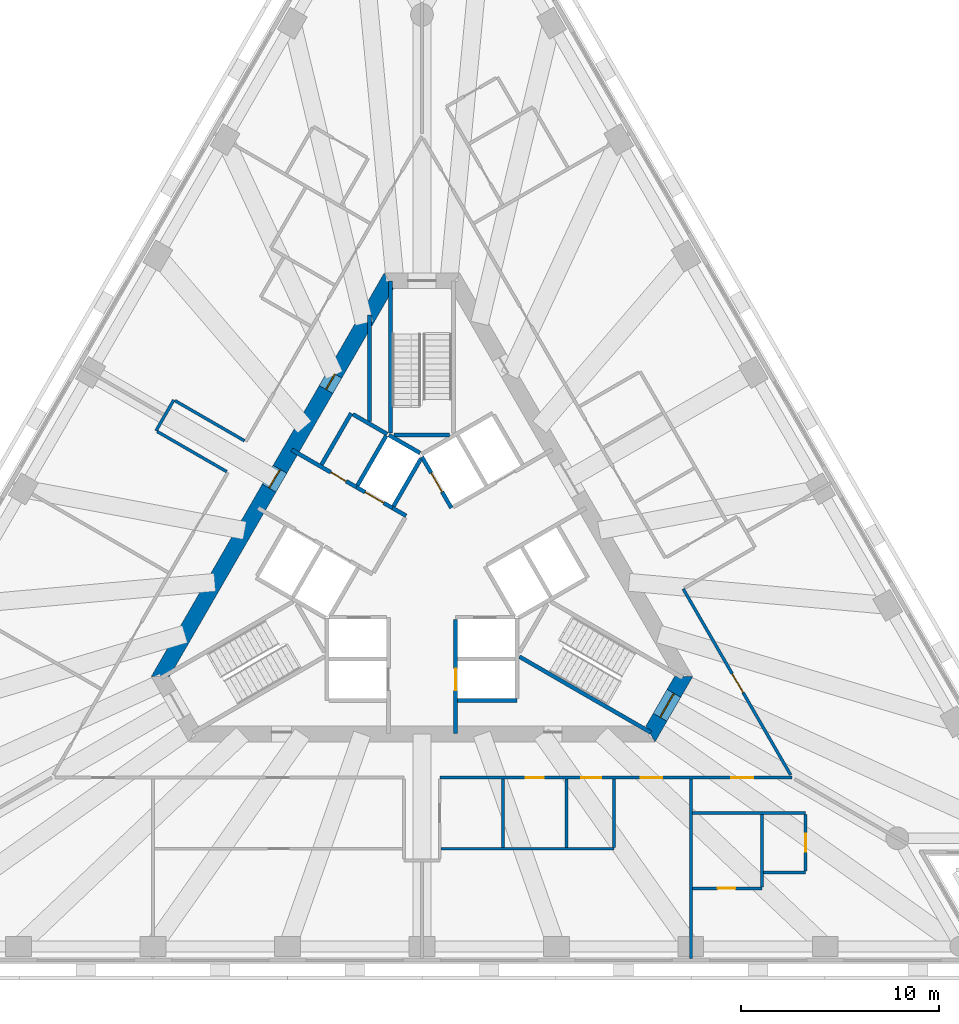
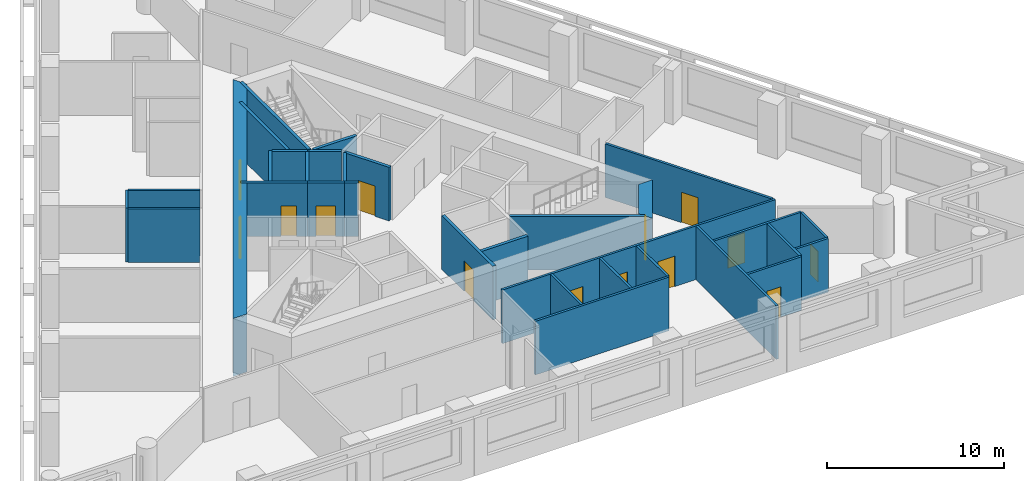
# One storey, part 4 of 9: 32 walls, 14 doors, 14 openings.
"""IFC4 building model written with IfcOpenShell, lengths in metres."""

from ifc_helpers import new_model, si_unit, direction, frame, frame_2d, origin, place, context, subcontext, project, spatial, polyline, rectangle, outline, extrude, material, layer, layer_set, type_object, element, fill, save


model = new_model("IFC4")

# Units and contexts
model_context = context("Model", 3, precision=1e-05, world=origin(), true_north=direction((0.0, 1.0)))
body_context = subcontext(model_context, "Body", "Model", "MODEL_VIEW")
ifc_project = project(units=[si_unit("LENGTHUNIT", "METRE"), si_unit("AREAUNIT", "SQUARE_METRE"), si_unit("VOLUMEUNIT", "CUBIC_METRE"), si_unit("PLANEANGLEUNIT", "RADIAN"), si_unit("MASSUNIT", "GRAM", prefix="KILO")], contexts=[model_context])

# Site, building, storey
site_placement = place(None, origin())
site = spatial("IfcSite", under=ifc_project, at=site_placement, CompositionType="ELEMENT")
building_placement = place(site_placement, origin())
building = spatial("IfcBuilding", under=site, at=building_placement, Name="Triada Interchange Tower", CompositionType="ELEMENT")
storey_placement = place(building_placement, frame((0.0, 0.0, 128.300048828125)))
storey = spatial("IfcBuildingStorey", under=building, at=storey_placement, Name="L29", CompositionType="ELEMENT", Elevation=128.300048828125)

# Wall
ifc_material_1 = material(Name="Concrete C30/37", Category="concrete")
ifc_layer_1 = layer(ifc_material_1, 0.199951171875)
ifc_layer_set_1 = layer_set([ifc_layer_1], Name="CORE WALL 200 EI 120")
wall_type_1 = type_object("IfcWallType", Name="CORE WALL 200 EI 120", PredefinedType="SOLIDWALL", material=ifc_layer_set_1)
wall_1_placement = place(storey_placement, frame((1.800048828125, -6.89990234375, 0.0), z_axis=(0.0, 0.0, 1.0), x_axis=(1.0, 0.0, 0.0)))
element("IfcWall", 1, at=wall_1_placement, inside=storey, type_object=wall_type_1, Name="Wall L29 58", PredefinedType="SOLIDWALL", context=body_context, shape_type="SweptSolid", body=[
    extrude(rectangle(XDim=3.0, YDim=0.199951171875, at=frame_2d((1.5, 0.0))), origin(), (0.0, 0.0, 1.0), 3.699951171875),
])

# Wall, opening, door
wall_2_placement = place(storey_placement, frame((0.0, 5.39990234375, 0.0), z_axis=(0.0, 0.0, 1.0), x_axis=(0.500103862429, -0.865965430478, 0.0)))
wall_2 = element("IfcWall", 2, at=wall_2_placement, inside=storey, type_object=wall_type_1, Name="Wall L29 65", PredefinedType="SOLIDWALL", context=body_context, shape_type="SweptSolid", body=[
    extrude(rectangle(XDim=2.973388671875, YDim=0.199951171875, at=frame_2d((1.48681640625, 0.0))), origin(), (0.0, 0.0, 1.0), 3.699951171875),
])
opening_1_placement = place(wall_2_placement, frame((0.93701171875, 0.0, 0.0)))
opening_1 = element("IfcOpeningElement", 3, at=opening_1_placement, cuts=wall_2, Name="Opening LD-LR5", PredefinedType="OPENING", context=body_context, shape_type="SweptSolid", body=[
    extrude(rectangle(XDim=1.10009765625, YDim=2.10009765625, at=frame_2d((0.550048828125, 1.050048828125))), frame((0.0, 0.10986328125, 0.0), z_axis=(0.0, -1.0, 0.0), x_axis=(1.0, 0.0, 0.0)), (0.0, 0.0, 1.0), 0.219970703125),
])
ifc_material_2 = material(Name="Steel S235 door leaf", Category="steel")
door_type_1 = type_object("IfcDoorType", Name="LIFT LANDING DOOR 1100 EI 120", OperationType="SLIDING_TO_LEFT", PredefinedType="DOOR", material=ifc_material_2)
door_1_placement = place(opening_1_placement, origin())
door_1 = element("IfcDoor", 4, at=door_1_placement, inside=storey, type_object=door_type_1, Name="LR5 landing door L29", OperationType="SLIDING_TO_LEFT", OverallHeight=2.10009765625, OverallWidth=1.10009765625, PredefinedType="DOOR", context=body_context, shape_type="SweptSolid", body=[
    extrude(rectangle(XDim=1.10009765625, YDim=2.10009765625, at=frame_2d((0.550048828125, 1.050048828125))), frame((0.0, 0.02490234375, 0.0), z_axis=(0.0, -1.0, 0.0), x_axis=(1.0, 0.0, 0.0)), (0.0, 0.0, 1.0), 0.050048828125),
])
fill(opening_1, door_1)

wall_3_placement = place(storey_placement, frame((1.699951171875, -8.580078125, 0.0), z_axis=(0.0, 0.0, 1.0), x_axis=(0.0, 1.0, 0.0)))
wall_3 = element("IfcWall", 5, at=wall_3_placement, inside=storey, type_object=wall_type_1, Name="Wall L29 68", PredefinedType="SOLIDWALL", context=body_context, shape_type="SweptSolid", body=[
    extrude(rectangle(XDim=5.777099609375, YDim=0.199951171875, at=frame_2d((2.888671875, 0.0))), origin(), (0.0, 0.0, 1.0), 3.699951171875),
])
opening_2_placement = place(wall_3_placement, frame((2.179931640625, 0.0, 0.0)))
opening_2 = element("IfcOpeningElement", 6, at=opening_2_placement, cuts=wall_3, Name="Opening LD-LR2", PredefinedType="OPENING", context=body_context, shape_type="SweptSolid", body=[
    extrude(rectangle(XDim=1.10009765625, YDim=2.10009765625, at=frame_2d((0.550048828125, 1.050048828125))), frame((0.0, 0.10986328125, 0.0), z_axis=(0.0, -1.0, 0.0), x_axis=(1.0, 0.0, 0.0)), (0.0, 0.0, 1.0), 0.219970703125),
])
door_2_placement = place(opening_2_placement, origin())
door_2 = element("IfcDoor", 7, at=door_2_placement, inside=storey, type_object=door_type_1, Name="LR2 landing door L29", OperationType="SLIDING_TO_LEFT", OverallHeight=2.10009765625, OverallWidth=1.10009765625, PredefinedType="DOOR", context=body_context, shape_type="SweptSolid", body=[
    extrude(rectangle(XDim=1.10009765625, YDim=2.10009765625, at=frame_2d((0.550048828125, 1.050048828125))), frame((0.0, 0.02490234375, 0.0), z_axis=(0.0, -1.0, 0.0), x_axis=(1.0, 0.0, 0.0)), (0.0, 0.0, 1.0), 0.050048828125),
])
fill(opening_2, door_2)

ifc_layer_2 = layer(ifc_material_1, 0.199951171875)
ifc_layer_set_2 = layer_set([ifc_layer_2], Name="CORE WALL 200 EI 180")
wall_type_2 = type_object("IfcWallType", Name="CORE WALL 200 EI 180", PredefinedType="SOLIDWALL", material=ifc_layer_set_2)
wall_4_placement = place(storey_placement, frame((-6.580078125, 5.761962890625, 0.0), z_axis=(0.0, 0.0, 1.0), x_axis=(0.866029704776, -0.49999255039, 0.0)))
wall_4 = element("IfcWall", 8, at=wall_4_placement, inside=storey, type_object=wall_type_2, Name="Wall L29 78", PredefinedType="SOLIDWALL", context=body_context, shape_type="SweptSolid", body=[
    extrude(rectangle(XDim=3.78173828125, YDim=0.199951171875, at=frame_2d((1.890869140625, 0.0))), origin(), (0.0, 0.0, 1.0), 3.699951171875),
])
opening_3_placement = place(wall_4_placement, frame((2.279052734375, 0.0, 0.0)))
opening_3 = element("IfcOpeningElement", 9, at=opening_3_placement, cuts=wall_4, Name="Opening D29-10", PredefinedType="OPENING", context=body_context, shape_type="SweptSolid", body=[
    extrude(rectangle(XDim=0.89990234375, YDim=2.10009765625, at=frame_2d((0.449951171875, 1.050048828125))), frame((0.0, 0.10986328125, 0.0), z_axis=(0.0, -1.0, 0.0), x_axis=(1.0, 0.0, 0.0)), (0.0, 0.0, 1.0), 0.219970703125),
])
door_type_2 = type_object("IfcDoorType", Name="SERVICE DOOR 900 EI2 90-C5S200", OperationType="NOTDEFINED", PredefinedType="DOOR", material=ifc_material_2)
door_3_placement = place(opening_3_placement, origin())
door_3 = element("IfcDoor", 10, at=door_3_placement, inside=storey, type_object=door_type_2, Name="Door D29-10 L29", OperationType="SINGLE_SWING_LEFT", OverallHeight=2.10009765625, OverallWidth=0.89990234375, PredefinedType="DOOR", context=body_context, shape_type="SweptSolid", body=[
    extrude(rectangle(XDim=0.89990234375, YDim=2.10009765625, at=frame_2d((0.449951171875, 1.050048828125))), frame((0.0, 0.02490234375, 0.0), z_axis=(0.0, -1.0, 0.0), x_axis=(1.0, 0.0, 0.0)), (0.0, 0.0, 1.0), 0.050048828125),
])
fill(opening_3, door_3)

# Walls
wall_5_placement = place(storey_placement, frame((-1.488037109375, 2.822021484375, 0.0), z_axis=(0.0, 0.0, 1.0), x_axis=(0.866236612152, -0.499633997809, 0.0)))
element("IfcWall", 11, at=wall_5_placement, inside=storey, type_object=wall_type_2, Name="Wall L29 79", PredefinedType="SOLIDWALL", context=body_context, shape_type="SweptSolid", body=[
    extrude(rectangle(XDim=0.79638671875, YDim=0.199951171875, at=frame_2d((0.398193359375, 0.0))), origin(), (0.0, 0.0, 1.0), 3.699951171875),
])
wall_6_placement = place(storey_placement, frame((-5.075927734375, 5.009033203125, 0.0), z_axis=(0.0, 0.0, 1.0), x_axis=(0.50002537861, 0.866010750942, 0.0)))
element("IfcWall", 12, at=wall_6_placement, inside=storey, type_object=wall_type_2, Name="Wall L29 80", PredefinedType="SOLIDWALL", context=body_context, shape_type="SweptSolid", body=[
    extrude(rectangle(XDim=2.999755859375, YDim=0.199951171875, at=frame_2d((1.5, 0.0))), origin(), (0.0, 0.0, 1.0), 3.699951171875),
])
wall_7_placement = place(storey_placement, frame((-3.489013671875, 7.556884765625, 0.0), z_axis=(0.0, 0.0, 1.0), x_axis=(0.866010750942, -0.50002537861, 0.0)))
element("IfcWall", 13, at=wall_7_placement, inside=storey, type_object=wall_type_2, Name="Wall L29 81", PredefinedType="SOLIDWALL", context=body_context, shape_type="SweptSolid", body=[
    extrude(rectangle(XDim=2.0, YDim=0.199951171875, at=frame_2d((1.0, 0.0))), origin(), (0.0, 0.0, 1.0), 3.699951171875),
])

# Wall, opening, door
wall_8_placement = place(storey_placement, frame((-3.30908203125, 3.873046875, 0.0), z_axis=(0.0, 0.0, 1.0), x_axis=(0.866098583652, -0.499873227325, 0.0)))
wall_8 = element("IfcWall", 14, at=wall_8_placement, inside=storey, type_object=wall_type_2, Name="Shaft wall FF2 L29 87", PredefinedType="SOLIDWALL", context=body_context, shape_type="SweptSolid", body=[
    extrude(rectangle(XDim=2.1025390625, YDim=0.199951171875, at=frame_2d((1.05126953125, 0.0))), origin(), (0.0, 0.0, 1.0), 3.699951171875),
])
opening_4_placement = place(wall_8_placement, frame((0.501953125, 0.0, 0.0)))
opening_4 = element("IfcOpeningElement", 15, at=opening_4_placement, cuts=wall_8, Name="Opening LD-FF2", PredefinedType="OPENING", context=body_context, shape_type="SweptSolid", body=[
    extrude(rectangle(XDim=1.10009765625, YDim=2.10009765625, at=frame_2d((0.550048828125, 1.050048828125))), frame((0.0, 0.10986328125, 0.0), z_axis=(0.0, -1.0, 0.0), x_axis=(1.0, 0.0, 0.0)), (0.0, 0.0, 1.0), 0.219970703125),
])
door_4_placement = place(opening_4_placement, origin())
door_4 = element("IfcDoor", 16, at=door_4_placement, inside=storey, type_object=door_type_1, Name="FF2 landing door L29", OperationType="SLIDING_TO_LEFT", OverallHeight=2.10009765625, OverallWidth=1.10009765625, PredefinedType="DOOR", context=body_context, shape_type="SweptSolid", body=[
    extrude(rectangle(XDim=1.10009765625, YDim=2.10009765625, at=frame_2d((0.550048828125, 1.050048828125))), frame((0.0, 0.02490234375, 0.0), z_axis=(0.0, -1.0, 0.0), x_axis=(1.0, 0.0, 0.0)), (0.0, 0.0, 1.0), 0.050048828125),
])
fill(opening_4, door_4)

# Walls
wall_9_placement = place(storey_placement, frame((-3.257080078125, 3.958984375, 0.0), z_axis=(0.0, 0.0, 1.0), x_axis=(0.50012328804, 0.865954211699, 0.0)))
element("IfcWall", 17, at=wall_9_placement, inside=storey, type_object=wall_type_2, Name="Shaft wall FF2 L29 88", PredefinedType="SOLIDWALL", context=body_context, shape_type="SweptSolid", body=[
    extrude(rectangle(XDim=2.899658203125, YDim=0.199951171875, at=frame_2d((1.44970703125, 0.0))), origin(), (0.0, 0.0, 1.0), 3.699951171875),
])
wall_10_placement = place(storey_placement, frame((-1.669921875, 6.507080078125, 0.0), z_axis=(0.0, 0.0, 1.0), x_axis=(0.865941441609, -0.500145398563, 0.0)))
element("IfcWall", 18, at=wall_10_placement, inside=storey, type_object=wall_type_2, Name="Shaft wall FF2 L29 89", PredefinedType="SOLIDWALL", context=body_context, shape_type="SweptSolid", body=[
    extrude(rectangle(XDim=1.8154296875, YDim=0.199951171875, at=frame_2d((0.90771484375, 0.0))), origin(), (0.0, 0.0, 1.0), 3.699951171875),
])
wall_11_placement = place(storey_placement, frame((-1.43798828125, 2.908935546875, 0.0), z_axis=(0.0, 0.0, 1.0), x_axis=(0.499829630636, 0.866123744241, 0.0)))
element("IfcWall", 19, at=wall_11_placement, inside=storey, type_object=wall_type_2, Name="Shaft wall FF2 L29 90", PredefinedType="SOLIDWALL", context=body_context, shape_type="SweptSolid", body=[
    extrude(rectangle(XDim=2.7607421875, YDim=0.199951171875, at=frame_2d((1.38037109375, 0.0))), origin(), (0.0, 0.0, 1.0), 3.699951171875),
])
ifc_layer_3 = layer(ifc_material_1, 0.199951171875)
ifc_layer_set_3 = layer_set([ifc_layer_3], Name="CORE WALL 200 EI 90")
wall_type_3 = type_object("IfcWallType", Name="CORE WALL 200 EI 90", PredefinedType="SOLIDWALL", material=ifc_layer_set_3)
wall_12_placement = place(storey_placement, frame((-2.64404296875, 7.18505859375, 0.0), z_axis=(0.0, 0.0, 1.0), x_axis=(0.0, 1.0, 0.0)))
element("IfcWall", 20, at=wall_12_placement, inside=storey, type_object=wall_type_3, Name="Wall L29 91", PredefinedType="SOLIDWALL", context=body_context, shape_type="SweptSolid", body=[
    extrude(rectangle(XDim=5.39501953125, YDim=0.199951171875, at=frame_2d((2.697509765625, 0.0))), origin(), (0.0, 0.0, 1.0), 3.699951171875),
])
ifc_layer_4 = layer(ifc_material_1, 0.199951171875)
ifc_layer_set_4 = layer_set([ifc_layer_4], Name="CORE WALL 200 REI 240")
wall_type_4 = type_object("IfcWallType", Name="CORE WALL 200 REI 240", PredefinedType="SOLIDWALL", material=ifc_layer_set_4)
wall_13_placement = place(storey_placement, frame((-1.39990234375, 6.5, 0.0), z_axis=(0.0, 0.0, 1.0), x_axis=(1.0, 0.0, 0.0)))
element("IfcWall", 21, at=wall_13_placement, inside=storey, type_object=wall_type_4, Name="Wall L29 96", PredefinedType="SOLIDWALL", context=body_context, shape_type="SweptSolid", body=[
    extrude(rectangle(XDim=2.7998046875, YDim=0.199951171875, at=frame_2d((1.39990234375, 0.0))), origin(), (0.0, 0.0, 1.0), 3.699951171875),
])
for number, where, z_axis, x_axis, name in (
    (22, (-1.60009765625, 6.614990234375, 0.0), (0.0, 0.0, 1.0), (0.0, 1.0, 0.0), "Wall L29 97"),
    (23, (4.928955078125, -4.693115234375, 0.0), (0.0, 0.0, 1.0), (0.866005769735, -0.50003400563, 0.0), "Wall L29 98"),
):
    element("IfcWall", number, at=place(storey_placement, frame(where, z_axis=z_axis, x_axis=x_axis)), inside=storey, type_object=wall_type_4, Name=name, PredefinedType="SOLIDWALL", context=body_context, shape_type="SweptSolid", body=[
        extrude(rectangle(XDim=7.6650390625, YDim=0.199951171875, at=frame_2d((3.83251953125, 0.0))), origin(), (0.0, 0.0, 1.0), 3.699951171875),
    ])

# Wall, openings, doors
ifc_material_3 = material(Name="Concrete C60/75", Category="concrete")
ifc_layer_5 = layer(ifc_material_3, 0.800048828125)
ifc_layer_set_5 = layer_set([ifc_layer_5], Name="Core wall B 800")
wall_type_5 = type_object("IfcWallType", Name="Core wall B 800", PredefinedType="SHEAR", material=ifc_layer_set_5)
wall_14_placement = place(storey_placement, frame((-1.674072265625, 14.300048828125, -0.300048828125), z_axis=(0.0, 0.0, 1.0), x_axis=(-0.499995765644, -0.866027848477, 0.0)))
wall_14 = element("IfcWall", 24, at=wall_14_placement, inside=storey, type_object=wall_type_5, Name="Core wall WB02 L29", PredefinedType="SHEAR", context=body_context, shape_type="SweptSolid", body=[
    extrude(outline(polyline([(-0.23095703125, -0.39990234375), (1.73193359375, -0.39990234375), (3.695068359375, -0.39990234375), (5.657958984375, -0.39990234375), (7.62109375, -0.39990234375), (9.583984375, -0.39990234375), (11.546875, -0.39990234375), (13.510009765625, -0.39990234375), (15.472900390625, -0.39990234375), (17.43603515625, -0.39990234375), (19.39892578125, -0.39990234375), (21.362060546875, -0.39990234375), (23.324951171875, -0.39990234375), (22.863037109375, 0.39990234375), (20.97705078125, 0.39990234375), (19.091064453125, 0.39990234375), (17.205078125, 0.39990234375), (15.319091796875, 0.39990234375), (13.43310546875, 0.39990234375), (11.546875, 0.39990234375), (9.660888671875, 0.39990234375), (7.77490234375, 0.39990234375), (5.888916015625, 0.39990234375), (4.0029296875, 0.39990234375), (2.116943359375, 0.39990234375), (0.23095703125, 0.39990234375), (-0.23095703125, -0.39990234375)])), origin(), (0.0, 0.0, 1.0), 4.0),
])
opening_5_placement = place(wall_14_placement, frame((10.9970703125, 0.0, 0.300048828125)))
opening_5 = element("IfcOpeningElement", 25, at=opening_5_placement, cuts=wall_14, Name="Opening D29-41", PredefinedType="OPENING", context=body_context, shape_type="SweptSolid", body=[
    extrude(rectangle(XDim=1.10009765625, YDim=2.10009765625, at=frame_2d((0.550048828125, 1.050048828125))), frame((0.0, 0.409912109375, 0.0), z_axis=(0.0, -1.0, 0.0), x_axis=(1.0, 0.0, 0.0)), (0.0, 0.0, 1.0), 0.820068359375),
])
opening_6_placement = place(wall_14_placement, frame((5.444091796875, 0.0, 0.300048828125)))
opening_6 = element("IfcOpeningElement", 26, at=opening_6_placement, cuts=wall_14, Name="Opening D29-43", PredefinedType="OPENING", context=body_context, shape_type="SweptSolid", body=[
    extrude(rectangle(XDim=0.89990234375, YDim=2.10009765625, at=frame_2d((0.449951171875, 1.050048828125))), frame((0.0, 0.409912109375, 0.0), z_axis=(0.0, -1.0, 0.0), x_axis=(1.0, 0.0, 0.0)), (0.0, 0.0, 1.0), 0.820068359375),
])
door_type_3 = type_object("IfcDoorType", Name="FIRE LOBBY DOOR 1100 EI2 90-C5S200", OperationType="NOTDEFINED", PredefinedType="DOOR", material=ifc_material_2)
door_5_placement = place(opening_5_placement, origin())
door_5 = element("IfcDoor", 27, at=door_5_placement, inside=storey, type_object=door_type_3, Name="Door D29-41 L29", OperationType="SINGLE_SWING_LEFT", OverallHeight=2.10009765625, OverallWidth=1.10009765625, PredefinedType="DOOR", context=body_context, shape_type="SweptSolid", body=[
    extrude(rectangle(XDim=1.10009765625, YDim=2.10009765625, at=frame_2d((0.550048828125, 1.050048828125))), frame((0.0, 0.02490234375, 0.0), z_axis=(0.0, -1.0, 0.0), x_axis=(1.0, 0.0, 0.0)), (0.0, 0.0, 1.0), 0.050048828125),
])
fill(opening_5, door_5)
door_type_4 = type_object("IfcDoorType", Name="RISER ACCESS DOOR 900 EI2 45-C5S200", OperationType="NOTDEFINED", PredefinedType="DOOR", material=ifc_material_2)
door_6_placement = place(opening_6_placement, origin())
door_6 = element("IfcDoor", 28, at=door_6_placement, inside=storey, type_object=door_type_4, Name="Door D29-43 L29", OperationType="SINGLE_SWING_LEFT", OverallHeight=2.10009765625, OverallWidth=0.89990234375, PredefinedType="DOOR", context=body_context, shape_type="SweptSolid", body=[
    extrude(rectangle(XDim=0.89990234375, YDim=2.10009765625, at=frame_2d((0.449951171875, 1.050048828125))), frame((0.0, 0.02490234375, 0.0), z_axis=(0.0, -1.0, 0.0), x_axis=(1.0, 0.0, 0.0)), (0.0, 0.0, 1.0), 0.050048828125),
])
fill(opening_6, door_6)

# Wall, opening, door
wall_15_placement = place(storey_placement, frame((11.547119140625, -8.60009765625, -0.300048828125), z_axis=(0.0, 0.0, 1.0), x_axis=(0.49987182685, 0.866099391942, 0.0)))
wall_15 = element("IfcWall", 29, at=wall_15_placement, inside=storey, type_object=wall_type_5, Name="Core wall WB05 L29", PredefinedType="SHEAR", context=body_context, shape_type="SweptSolid", body=[
    extrude(outline(polyline([(-0.23095703125, -0.39990234375), (1.674072265625, -0.39990234375), (3.5791015625, -0.39990234375), (3.117919921875, 0.39990234375), (1.67431640625, 0.39990234375), (0.23095703125, 0.39990234375), (-0.23095703125, -0.39990234375)])), origin(), (0.0, 0.0, 1.0), 4.0),
])
opening_7_placement = place(wall_15_placement, frame((0.97412109375, 0.0, 0.300048828125)))
opening_7 = element("IfcOpeningElement", 30, at=opening_7_placement, cuts=wall_15, Name="Opening D29-40", PredefinedType="OPENING", context=body_context, shape_type="SweptSolid", body=[
    extrude(rectangle(XDim=1.39990234375, YDim=2.10009765625, at=frame_2d((0.699951171875, 1.050048828125))), frame((0.0, 0.409912109375, 0.0), z_axis=(0.0, -1.0, 0.0), x_axis=(1.0, 0.0, 0.0)), (0.0, 0.0, 1.0), 0.820068359375),
])
door_type_5 = type_object("IfcDoorType", Name="STAIR DOOR 1400 EI2 90-C5S200", OperationType="DOUBLE_DOOR_SINGLE_SWING", PredefinedType="DOOR", material=ifc_material_2)
door_7_placement = place(opening_7_placement, origin())
door_7 = element("IfcDoor", 31, at=door_7_placement, inside=storey, type_object=door_type_5, Name="Door D29-40 L29", OperationType="DOUBLE_DOOR_SINGLE_SWING", OverallHeight=2.10009765625, OverallWidth=1.39990234375, PredefinedType="DOOR", context=body_context, shape_type="SweptSolid", body=[
    extrude(rectangle(XDim=1.39990234375, YDim=2.10009765625, at=frame_2d((0.699951171875, 1.050048828125))), frame((0.0, 0.02490234375, 0.0), z_axis=(0.0, -1.0, 0.0), x_axis=(1.0, 0.0, 0.0)), (0.0, 0.0, 1.0), 0.050048828125),
])
fill(opening_7, door_7)

# Wall, openings, doors
ifc_material_4 = material(Name="Gypsum board partition")
ifc_layer_6 = layer(ifc_material_4, 0.14990234375)
ifc_layer_set_6 = layer_set([ifc_layer_6], Name="PARTITION 150 EI 180")
wall_type_6 = type_object("IfcWallType", Name="PARTITION 150 EI 180", PredefinedType="PARTITIONING", material=ifc_layer_set_6)
wall_16_placement = place(storey_placement, frame((0.90087890625, -10.800048828125, 0.0), z_axis=(0.0, 0.0, 1.0), x_axis=(1.0, 0.0, 0.0)))
wall_16 = element("IfcWall", 32, at=wall_16_placement, inside=storey, type_object=wall_type_6, Name="Wall L29 5", PredefinedType="PARTITIONING", context=body_context, shape_type="SweptSolid", body=[
    extrude(rectangle(XDim=17.80517578125, YDim=0.14990234375, at=frame_2d((8.902587890625, 0.0))), origin(), (0.0, 0.0, 1.0), 3.699951171875),
])
opening_8_placement = place(wall_16_placement, frame((10.14892578125, 0.0, 0.0)))
opening_8 = element("IfcOpeningElement", 33, at=opening_8_placement, cuts=wall_16, Name="Opening D29-14", PredefinedType="OPENING", context=body_context, shape_type="SweptSolid", body=[
    extrude(rectangle(XDim=1.10009765625, YDim=2.10009765625, at=frame_2d((0.550048828125, 1.050048828125))), frame((0.0, 0.0849609375, 0.0), z_axis=(0.0, -1.0, 0.0), x_axis=(1.0, 0.0, 0.0)), (0.0, 0.0, 1.0), 0.169921875),
])
opening_9_placement = place(wall_16_placement, frame((4.34912109375, 0.0, 0.0)))
opening_9 = element("IfcOpeningElement", 34, at=opening_9_placement, cuts=wall_16, Name="Opening D29-16", PredefinedType="OPENING", context=body_context, shape_type="SweptSolid", body=[
    extrude(rectangle(XDim=0.89990234375, YDim=2.10009765625, at=frame_2d((0.449951171875, 1.050048828125))), frame((0.0, 0.0849609375, 0.0), z_axis=(0.0, -1.0, 0.0), x_axis=(1.0, 0.0, 0.0)), (0.0, 0.0, 1.0), 0.169921875),
])
opening_10_placement = place(wall_16_placement, frame((7.14892578125, 0.0, 0.0)))
opening_10 = element("IfcOpeningElement", 35, at=opening_10_placement, cuts=wall_16, Name="Opening D29-17", PredefinedType="OPENING", context=body_context, shape_type="SweptSolid", body=[
    extrude(rectangle(XDim=1.0, YDim=2.10009765625, at=frame_2d((0.5, 1.050048828125))), frame((0.0, 0.0849609375, 0.0), z_axis=(0.0, -1.0, 0.0), x_axis=(1.0, 0.0, 0.0)), (0.0, 0.0, 1.0), 0.169921875),
])
opening_11_placement = place(wall_16_placement, frame((14.737060546875, 0.0, 0.0)))
opening_11 = element("IfcOpeningElement", 36, at=opening_11_placement, cuts=wall_16, Name="Opening D29-18", PredefinedType="OPENING", context=body_context, shape_type="SweptSolid", body=[
    extrude(rectangle(XDim=1.10009765625, YDim=2.10009765625, at=frame_2d((0.550048828125, 1.050048828125))), frame((0.0, 0.0849609375, 0.0), z_axis=(0.0, -1.0, 0.0), x_axis=(1.0, 0.0, 0.0)), (0.0, 0.0, 1.0), 0.169921875),
])
door_type_6 = type_object("IfcDoorType", Name="ROOM DOOR 1000 EI2 90-C5S200", OperationType="NOTDEFINED", PredefinedType="DOOR", material=ifc_material_2)
door_8_placement = place(opening_10_placement, origin())
door_8 = element("IfcDoor", 37, at=door_8_placement, inside=storey, type_object=door_type_6, Name="Door D29-17 L29", OperationType="SINGLE_SWING_RIGHT", OverallHeight=2.10009765625, OverallWidth=1.0, PredefinedType="DOOR", context=body_context, shape_type="SweptSolid", body=[
    extrude(rectangle(XDim=1.0, YDim=2.10009765625, at=frame_2d((0.5, 1.050048828125))), frame((0.0, 0.02490234375, 0.0), z_axis=(0.0, -1.0, 0.0), x_axis=(1.0, 0.0, 0.0)), (0.0, 0.0, 1.0), 0.050048828125),
])
fill(opening_10, door_8)
door_type_7 = type_object("IfcDoorType", Name="ROOM DOOR 900 EI2 90-C5S200", OperationType="NOTDEFINED", PredefinedType="DOOR", material=ifc_material_2)
door_9_placement = place(opening_9_placement, origin())
door_9 = element("IfcDoor", 38, at=door_9_placement, inside=storey, type_object=door_type_7, Name="Door D29-16 L29", OperationType="SINGLE_SWING_RIGHT", OverallHeight=2.10009765625, OverallWidth=0.89990234375, PredefinedType="DOOR", context=body_context, shape_type="SweptSolid", body=[
    extrude(rectangle(XDim=0.89990234375, YDim=2.10009765625, at=frame_2d((0.449951171875, 1.050048828125))), frame((0.0, 0.02490234375, 0.0), z_axis=(0.0, -1.0, 0.0), x_axis=(1.0, 0.0, 0.0)), (0.0, 0.0, 1.0), 0.050048828125),
])
fill(opening_9, door_9)
door_type_8 = type_object("IfcDoorType", Name="TENANCY ENTRANCE DOOR 1100 EI2 90-C5S200", OperationType="NOTDEFINED", PredefinedType="DOOR", material=ifc_material_2)
door_10_placement = place(opening_8_placement, origin())
door_10 = element("IfcDoor", 39, at=door_10_placement, inside=storey, type_object=door_type_8, Name="Door D29-14 L29", OperationType="SINGLE_SWING_LEFT", OverallHeight=2.10009765625, OverallWidth=1.10009765625, PredefinedType="DOOR", context=body_context, shape_type="SweptSolid", body=[
    extrude(rectangle(XDim=1.10009765625, YDim=2.10009765625, at=frame_2d((0.550048828125, 1.050048828125))), frame((0.0, 0.02490234375, 0.0), z_axis=(0.0, -1.0, 0.0), x_axis=(1.0, 0.0, 0.0)), (0.0, 0.0, 1.0), 0.050048828125),
])
fill(opening_8, door_10)
door_11_placement = place(opening_11_placement, origin())
door_11 = element("IfcDoor", 40, at=door_11_placement, inside=storey, type_object=door_type_8, Name="Door D29-18 L29", OperationType="SINGLE_SWING_LEFT", OverallHeight=2.10009765625, OverallWidth=1.10009765625, PredefinedType="DOOR", context=body_context, shape_type="SweptSolid", body=[
    extrude(rectangle(XDim=1.10009765625, YDim=2.10009765625, at=frame_2d((0.550048828125, 1.050048828125))), frame((0.0, 0.02490234375, 0.0), z_axis=(0.0, -1.0, 0.0), x_axis=(1.0, 0.0, 0.0)), (0.0, 0.0, 1.0), 0.050048828125),
])
fill(opening_11, door_11)

# Walls
wall_17_placement = place(storey_placement, frame((-13.43994140625, 6.720947265625, 0.0), z_axis=(0.0, 0.0, 1.0), x_axis=(0.500137434689, 0.865946041288, 0.0)))
element("IfcWall", 41, at=wall_17_placement, inside=storey, type_object=wall_type_6, Name="Wall L29 13", PredefinedType="PARTITIONING", context=body_context, shape_type="SweptSolid", body=[
    extrude(rectangle(XDim=1.79931640625, YDim=0.14990234375, at=frame_2d((0.899658203125, 0.0))), origin(), (0.0, 0.0, 1.0), 3.699951171875),
])
wall_18_placement = place(storey_placement, frame((-12.47509765625, 8.241943359375, 0.0), z_axis=(0.0, 0.0, 1.0), x_axis=(0.865955608197, -0.500120870022, 0.0)))
element("IfcWall", 42, at=wall_18_placement, inside=storey, type_object=wall_type_6, Name="Wall L29 14", PredefinedType="PARTITIONING", context=body_context, shape_type="SweptSolid", body=[
    extrude(rectangle(XDim=4.048828125, YDim=0.14990234375, at=frame_2d((2.0244140625, 0.0))), origin(), (0.0, 0.0, 1.0), 3.699951171875),
])
wall_19_placement = place(storey_placement, frame((-13.375, 6.68310546875, 0.0), z_axis=(0.0, 0.0, 1.0), x_axis=(0.866033948129, -0.499985200469, 0.0)))
element("IfcWall", 43, at=wall_19_placement, inside=storey, type_object=wall_type_6, Name="Wall L29 15", PredefinedType="PARTITIONING", context=body_context, shape_type="SweptSolid", body=[
    extrude(rectangle(XDim=4.04833984375, YDim=0.14990234375, at=frame_2d((2.024169921875, 0.0))), origin(), (0.0, 0.0, 1.0), 3.699951171875),
])

# Wall, opening, door
wall_20_placement = place(storey_placement, frame((13.200927734375, -1.263916015625, 0.0), z_axis=(0.0, 0.0, 1.0), x_axis=(0.499973466559, -0.866040722332, 0.0)))
wall_20 = element("IfcWall", 44, at=wall_20_placement, inside=storey, type_object=wall_type_6, Name="Wall L29 25", PredefinedType="PARTITIONING", context=body_context, shape_type="SweptSolid", body=[
    extrude(rectangle(XDim=10.86083984375, YDim=0.14990234375, at=frame_2d((5.430419921875, 0.0))), origin(), (0.0, 0.0, 1.0), 3.699951171875),
])
opening_12_placement = place(wall_20_placement, frame((4.9599609375, 0.0, 0.0)))
opening_12 = element("IfcOpeningElement", 45, at=opening_12_placement, cuts=wall_20, Name="Opening D29-21", PredefinedType="OPENING", context=body_context, shape_type="SweptSolid", body=[
    extrude(rectangle(XDim=1.10009765625, YDim=2.10009765625, at=frame_2d((0.550048828125, 1.050048828125))), frame((0.0, 0.0849609375, 0.0), z_axis=(0.0, -1.0, 0.0), x_axis=(1.0, 0.0, 0.0)), (0.0, 0.0, 1.0), 0.169921875),
])
door_12_placement = place(opening_12_placement, origin())
door_12 = element("IfcDoor", 46, at=door_12_placement, inside=storey, type_object=door_type_8, Name="Door D29-21 L29", OperationType="SINGLE_SWING_RIGHT", OverallHeight=2.10009765625, OverallWidth=1.10009765625, PredefinedType="DOOR", context=body_context, shape_type="SweptSolid", body=[
    extrude(rectangle(XDim=1.10009765625, YDim=2.10009765625, at=frame_2d((0.550048828125, 1.050048828125))), frame((0.0, 0.02490234375, 0.0), z_axis=(0.0, -1.0, 0.0), x_axis=(1.0, 0.0, 0.0)), (0.0, 0.0, 1.0), 0.050048828125),
])
fill(opening_12, door_12)

# Walls
wall_21_placement = place(storey_placement, frame((0.97509765625, -14.39990234375, 0.0), z_axis=(0.0, 0.0, 1.0), x_axis=(1.0, 0.0, 0.0)))
element("IfcWall", 47, at=wall_21_placement, inside=storey, type_object=wall_type_6, Name="Wall L29 26", PredefinedType="PARTITIONING", context=body_context, shape_type="SweptSolid", body=[
    extrude(rectangle(XDim=8.724853515625, YDim=0.14990234375, at=frame_2d((4.3623046875, 0.0))), origin(), (0.0, 0.0, 1.0), 3.699951171875),
])
for number, where, z_axis, x_axis, name in (
    (48, (4.10009765625, -14.324951171875, 0.0), (0.0, 0.0, 1.0), (0.0, 1.0, 0.0), "Wall L29 28"),
    (49, (9.699951171875, -14.324951171875, 0.0), (0.0, 0.0, 1.0), (0.0, 1.0, 0.0), "Wall L29 29"),
    (50, (7.300048828125, -14.324951171875, 0.0), (0.0, 0.0, 1.0), (0.0, 1.0, 0.0), "Wall L29 30"),
):
    element("IfcWall", number, at=place(storey_placement, frame(where, z_axis=z_axis, x_axis=x_axis)), inside=storey, type_object=wall_type_6, Name=name, PredefinedType="PARTITIONING", context=body_context, shape_type="SweptSolid", body=[
        extrude(rectangle(XDim=3.449951171875, YDim=0.14990234375, at=frame_2d((1.72509765625, 0.0))), origin(), (0.0, 0.0, 1.0), 3.699951171875),
    ])
wall_22_placement = place(storey_placement, frame((13.587890625, -19.951904296875, 0.0), z_axis=(0.0, 0.0, 1.0), x_axis=(0.0, 1.0, 0.0)))
element("IfcWall", 51, at=wall_22_placement, inside=storey, type_object=wall_type_6, Name="Wall L29 36", PredefinedType="PARTITIONING", context=body_context, shape_type="SweptSolid", body=[
    extrude(rectangle(XDim=9.076904296875, YDim=0.14990234375, at=frame_2d((4.53857421875, 0.0))), origin(), (0.0, 0.0, 1.0), 3.699951171875),
])

# Wall, opening, door
ifc_layer_7 = layer(ifc_material_4, 0.14990234375)
ifc_layer_set_7 = layer_set([ifc_layer_7], Name="PARTITION 150 EI 90")
wall_type_7 = type_object("IfcWallType", Name="PARTITION 150 EI 90", PredefinedType="PARTITIONING", material=ifc_layer_set_7)
wall_23_placement = place(storey_placement, frame((13.6630859375, -16.39990234375, 0.0), z_axis=(0.0, 0.0, 1.0), x_axis=(1.0, 0.0, 0.0)))
wall_23 = element("IfcWall", 52, at=wall_23_placement, inside=storey, type_object=wall_type_7, Name="Wall L29 49", PredefinedType="PARTITIONING", context=body_context, shape_type="SweptSolid", body=[
    extrude(rectangle(XDim=3.52490234375, YDim=0.14990234375, at=frame_2d((1.762451171875, 0.0))), origin(), (0.0, 0.0, 1.0), 3.699951171875),
])
opening_13_placement = place(wall_23_placement, frame((1.27490234375, 0.0, 0.0)))
opening_13 = element("IfcOpeningElement", 53, at=opening_13_placement, cuts=wall_23, Name="Opening D29-19", PredefinedType="OPENING", context=body_context, shape_type="SweptSolid", body=[
    extrude(rectangle(XDim=0.89990234375, YDim=2.10009765625, at=frame_2d((0.449951171875, 1.050048828125))), frame((0.0, 0.0849609375, 0.0), z_axis=(0.0, -1.0, 0.0), x_axis=(1.0, 0.0, 0.0)), (0.0, 0.0, 1.0), 0.169921875),
])
door_type_9 = type_object("IfcDoorType", Name="ROOM DOOR 900 EI2 45-C5S200", OperationType="NOTDEFINED", PredefinedType="DOOR", material=ifc_material_2)
door_13_placement = place(opening_13_placement, origin())
door_13 = element("IfcDoor", 54, at=door_13_placement, inside=storey, type_object=door_type_9, Name="Door D29-19 L29", OperationType="SINGLE_SWING_LEFT", OverallHeight=2.10009765625, OverallWidth=0.89990234375, PredefinedType="DOOR", context=body_context, shape_type="SweptSolid", body=[
    extrude(rectangle(XDim=0.89990234375, YDim=2.10009765625, at=frame_2d((0.449951171875, 1.050048828125))), frame((0.0, 0.02490234375, 0.0), z_axis=(0.0, -1.0, 0.0), x_axis=(1.0, 0.0, 0.0)), (0.0, 0.0, 1.0), 0.050048828125),
])
fill(opening_13, door_13)

# Walls
wall_24_placement = place(storey_placement, frame((17.18798828125, -16.324951171875, 0.0), z_axis=(0.0, 0.0, 1.0), x_axis=(0.0, 1.0, 0.0)))
element("IfcWall", 55, at=wall_24_placement, inside=storey, type_object=wall_type_7, Name="Wall L29 50", PredefinedType="PARTITIONING", context=body_context, shape_type="SweptSolid", body=[
    extrude(rectangle(XDim=3.64990234375, YDim=0.14990234375, at=frame_2d((1.824951171875, 0.0))), origin(), (0.0, 0.0, 1.0), 3.699951171875),
])
wall_25_placement = place(storey_placement, frame((13.6630859375, -12.60009765625, 0.0), z_axis=(0.0, 0.0, 1.0), x_axis=(1.0, 0.0, 0.0)))
element("IfcWall", 56, at=wall_25_placement, inside=storey, type_object=wall_type_7, Name="Wall L29 51", PredefinedType="PARTITIONING", context=body_context, shape_type="SweptSolid", body=[
    extrude(rectangle(XDim=5.724853515625, YDim=0.14990234375, at=frame_2d((2.8623046875, 0.0))), origin(), (0.0, 0.0, 1.0), 3.699951171875),
])
wall_26_placement = place(storey_placement, frame((17.262939453125, -15.60009765625, 0.0), z_axis=(0.0, 0.0, 1.0), x_axis=(1.0, 0.0, 0.0)))
element("IfcWall", 57, at=wall_26_placement, inside=storey, type_object=wall_type_7, Name="Wall L29 52", PredefinedType="PARTITIONING", context=body_context, shape_type="SweptSolid", body=[
    extrude(rectangle(XDim=2.125, YDim=0.14990234375, at=frame_2d((1.0625, 0.0))), origin(), (0.0, 0.0, 1.0), 3.699951171875),
])

# Wall, opening, door
wall_27_placement = place(storey_placement, frame((19.387939453125, -15.52490234375, 0.0), z_axis=(0.0, 0.0, 1.0), x_axis=(0.0, 1.0, 0.0)))
wall_27 = element("IfcWall", 58, at=wall_27_placement, inside=storey, type_object=wall_type_7, Name="Wall L29 53", PredefinedType="PARTITIONING", context=body_context, shape_type="SweptSolid", body=[
    extrude(rectangle(XDim=2.849853515625, YDim=0.14990234375, at=frame_2d((1.4248046875, 0.0))), origin(), (0.0, 0.0, 1.0), 3.699951171875),
])
opening_14_placement = place(wall_27_placement, frame((0.97509765625, 0.0, 0.0)))
opening_14 = element("IfcOpeningElement", 59, at=opening_14_placement, cuts=wall_27, Name="Opening D29-20", PredefinedType="OPENING", context=body_context, shape_type="SweptSolid", body=[
    extrude(rectangle(XDim=0.89990234375, YDim=2.10009765625, at=frame_2d((0.449951171875, 1.050048828125))), frame((0.0, 0.0849609375, 0.0), z_axis=(0.0, -1.0, 0.0), x_axis=(1.0, 0.0, 0.0)), (0.0, 0.0, 1.0), 0.169921875),
])
door_type_10 = type_object("IfcDoorType", Name="SERVICE DOOR 900 EI2 45-C5S200", OperationType="NOTDEFINED", PredefinedType="DOOR", material=ifc_material_2)
door_14_placement = place(opening_14_placement, origin())
door_14 = element("IfcDoor", 60, at=door_14_placement, inside=storey, type_object=door_type_10, Name="Door D29-20 L29", OperationType="SINGLE_SWING_RIGHT", OverallHeight=2.10009765625, OverallWidth=0.89990234375, PredefinedType="DOOR", context=body_context, shape_type="SweptSolid", body=[
    extrude(rectangle(XDim=0.89990234375, YDim=2.10009765625, at=frame_2d((0.449951171875, 1.050048828125))), frame((0.0, 0.02490234375, 0.0), z_axis=(0.0, -1.0, 0.0), x_axis=(1.0, 0.0, 0.0)), (0.0, 0.0, 1.0), 0.050048828125),
])
fill(opening_14, door_14)

save(model, "model.ifc")
